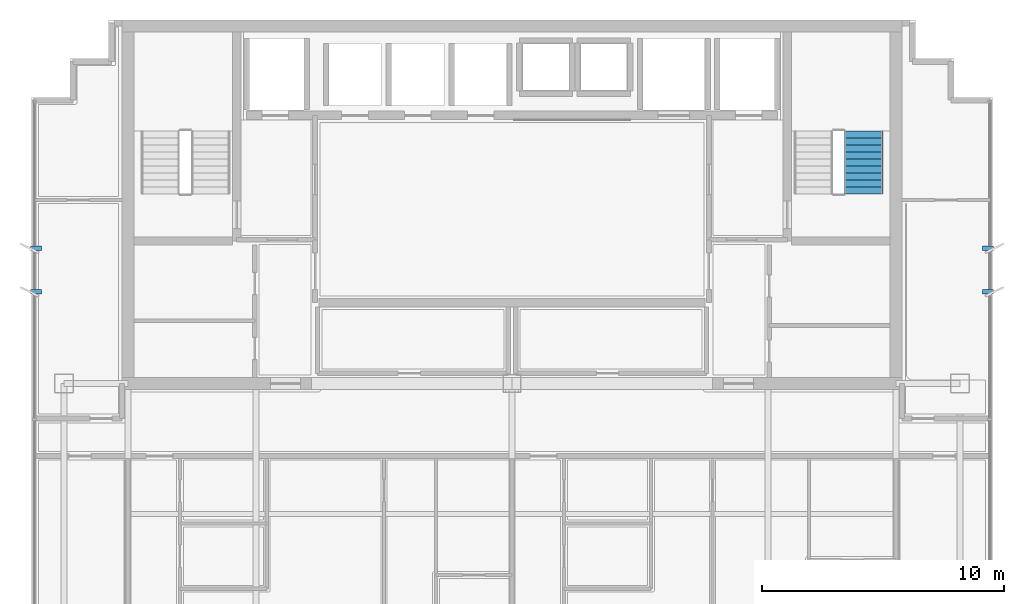
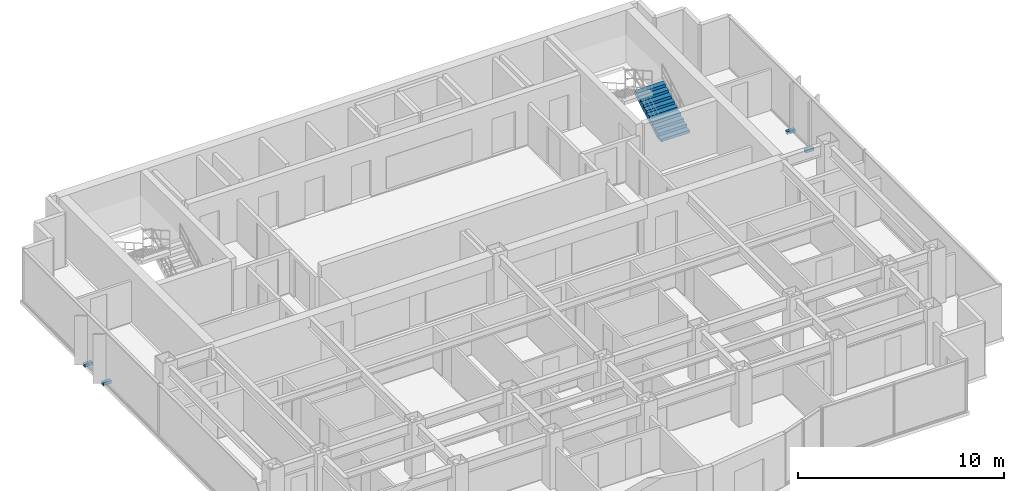
# One storey, part 10 of 12: 4 discrete accessories, 1 stair flight, 1 element without a shape of its own.
"""IFC4 building model written with IfcOpenShell, lengths in metres."""

from ifc_helpers import new_model, si_unit, direction, frame, origin, origin_2d, place, context, subcontext, project, spatial, polyline, rectangle, outline, extrude, source, transform, mapped, material, type_object, element, aggregate, save


model = new_model("IFC4")

# Units and contexts
model_context = context("Model", 3, precision=1e-05, world=origin(), true_north=direction((0.0, 1.0)))
body_context = subcontext(model_context, "Body", "Model", "MODEL_VIEW")
ifc_project = project(units=[si_unit("LENGTHUNIT", "METRE"), si_unit("AREAUNIT", "SQUARE_METRE"), si_unit("VOLUMEUNIT", "CUBIC_METRE"), si_unit("PLANEANGLEUNIT", "RADIAN"), si_unit("MASSUNIT", "GRAM", prefix="KILO")], contexts=[model_context])

# Site, building, storey
site_placement = place(None, origin())
site = spatial("IfcSite", under=ifc_project, at=site_placement, CompositionType="ELEMENT")
building_placement = place(site_placement, origin())
building = spatial("IfcBuilding", under=site, at=building_placement, Name="Qianlan Lanfeng Residences", CompositionType="ELEMENT")
storey_placement = place(building_placement, frame((0.0, 0.0, 219.800048828125)))
storey = spatial("IfcBuildingStorey", under=building, at=storey_placement, Name="L60", CompositionType="ELEMENT", Elevation=219.800048828125)

# Stair, stair flight
ifc_material_1 = material(Name="Concrete C42", Category="concrete")
stair_type = type_object("IfcStairType", Name="STR-MAIN", PredefinedType="HALF_TURN_STAIR", material=ifc_material_1)
stair_placement = place(storey_placement, origin())
stair = element("IfcStair", 1, at=stair_placement, inside=storey, type_object=stair_type, Name="L60 Exit Stair ST-2", PredefinedType="HALF_TURN_STAIR")
stair_flight_type = type_object("IfcStairFlightType", Name="FLT-1720", PredefinedType="STRAIGHT", material=ifc_material_1)
stair_flight_placement = place(storey_placement, frame((41.06005859375, 33.050048828125, 0.0), z_axis=(0.0, 0.0, 1.0), x_axis=(0.0, 1.0, 0.0)))
stair_flight = element("IfcStairFlight", 2, at=stair_flight_placement, type_object=stair_flight_type, Name="ST-2 flight 1", NumberOfRisers=10, NumberOfTreads=9, PredefinedType="STRAIGHT", RiserHeight=0.165, TreadLength=0.29, context=body_context, shape_type="SweptSolid", body=[
    extrude(outline(polyline([(0.0, 0.0), (0.0, 0.1650390625), (0.2900390625, 0.1650390625), (0.2900390625, 0.330078125), (0.580078125, 0.330078125), (0.580078125, 0.4951171875), (0.8701171875, 0.4951171875), (0.8701171875, 0.659912109375), (1.159912109375, 0.659912109375), (1.159912109375, 0.824951171875), (1.449951171875, 0.824951171875), (1.449951171875, 0.989990234375), (1.739990234375, 0.989990234375), (1.739990234375, 1.155029296875), (2.030029296875, 1.155029296875), (2.030029296875, 1.320068359375), (2.320068359375, 1.320068359375), (2.320068359375, 1.485107421875), (2.610107421875, 1.485107421875), (2.610107421875, 1.64990234375), (2.610107421875, 1.278076171875), (0.36376953125, 0.0), (0.0, 0.0)])), frame((0.0, 0.800048828125, 0.0), z_axis=(0.0, -1.0, 0.0), x_axis=(1.0, 0.0, 0.0)), (0.0, 0.0, 1.0), 1.60009765625),
])
aggregate(stair, [stair_flight])

# Discrete accessories
ifc_material_2 = material(Name="Stainless Steel Facade Bracket", Category="steel")
discrete_accessory_type = type_object("IfcDiscreteAccessoryType", Name="BRK-SS-350", PredefinedType="BRACKET", material=ifc_material_2)
shared_shape = source(origin(), body_context, "Body", "SweptSolid", [
    extrude(rectangle(XDim=0.449951171875, YDim=0.179931640625, at=origin_2d()), origin(), (0.0, 0.0, 1.0), 0.179931640625),
])
for number, where, z_axis, x_axis, name in (
    (3, (6.800048828125, 29.0, -0.14990234375), (0.0, 0.0, 1.0), (1.0, 0.0, 0.0), "L60 Raked Solar Fin Support Bracket W1"),
    (4, (6.800048828125, 30.800048828125, -0.14990234375), (0.0, 0.0, 1.0), (1.0, 0.0, 0.0), "L60 Raked Solar Fin Support Bracket W2"),
    (5, (46.199951171875, 29.0, -0.14990234375), (0.0, 0.0, 1.0), (1.0, 0.0, 0.0), "L60 Raked Solar Fin Support Bracket E1"),
    (6, (46.199951171875, 30.800048828125, -0.14990234375), (0.0, 0.0, 1.0), (1.0, 0.0, 0.0), "L60 Raked Solar Fin Support Bracket E2"),
):
    element("IfcDiscreteAccessory", number, at=place(storey_placement, frame(where, z_axis=z_axis, x_axis=x_axis)), inside=storey, type_object=discrete_accessory_type, Name=name, PredefinedType="BRACKET", context=body_context, shape_type="MappedRepresentation", body=[
        mapped(shared_shape, transform((0.0, 0.0, 0.0), scale=1.0)),
    ])

save(model, "model.ifc")
